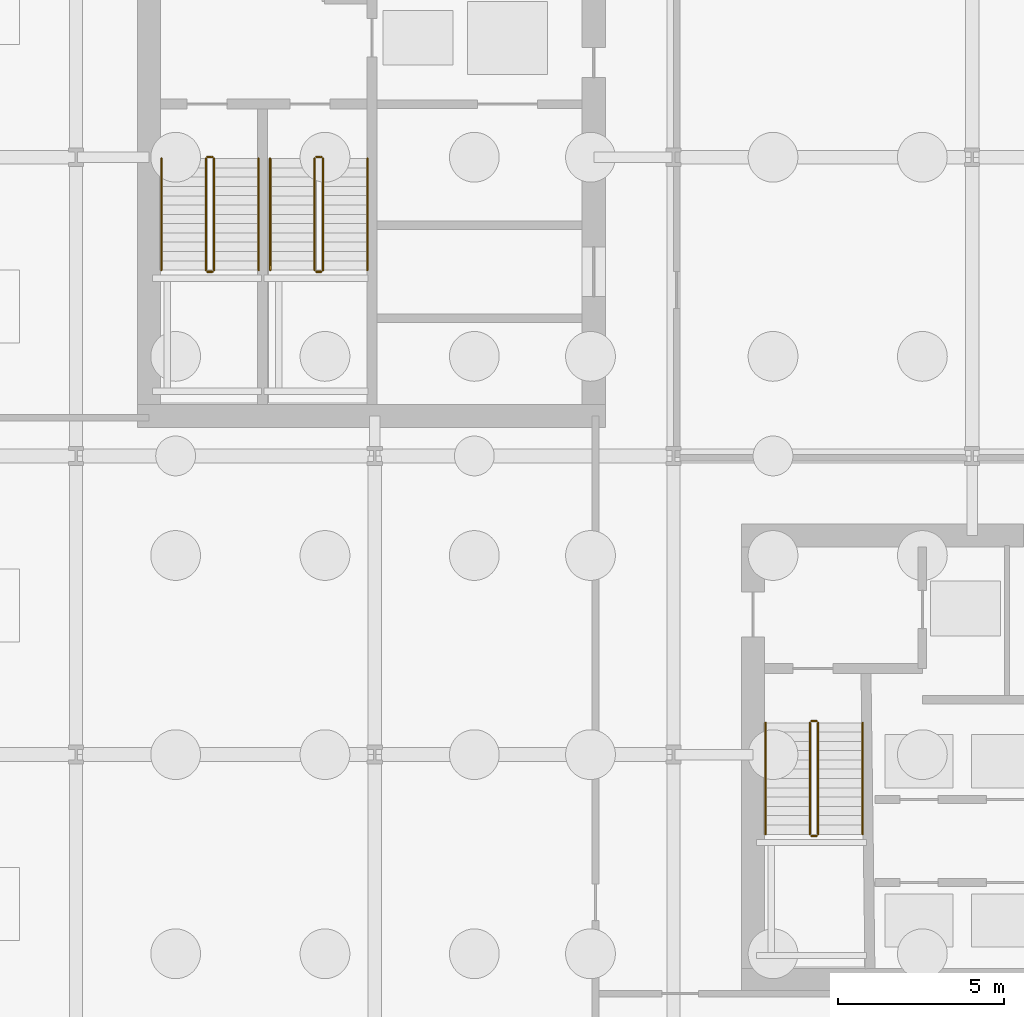
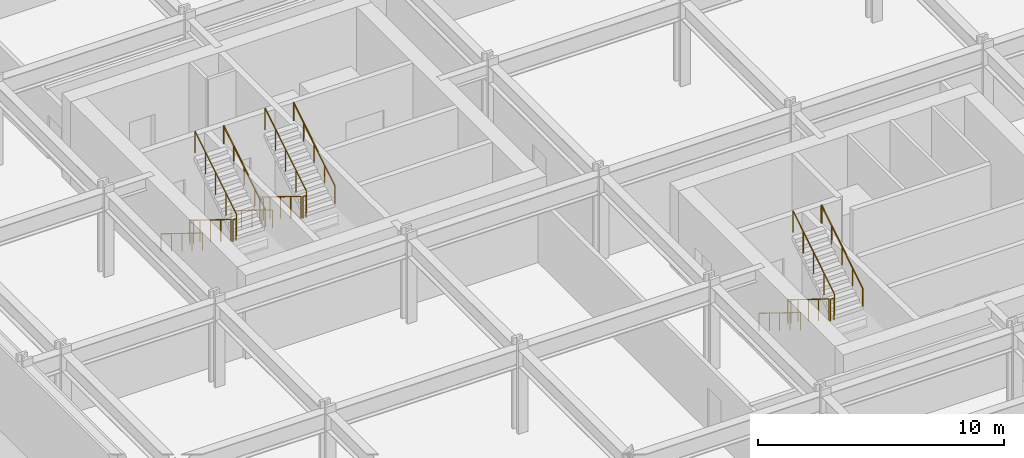
# One storey, part 6 of 7: 18 railings.
"""IFC4 building model written with IfcOpenShell, lengths in metres."""

from ifc_helpers import new_model, si_unit, direction, frame, origin, origin_2d, place, context, subcontext, project, spatial, circle, extrude, material, type_object, element, save


model = new_model("IFC4")

# Units and contexts
model_context = context("Model", 3, precision=1e-05, world=origin(), true_north=direction((0.0, 1.0)))
body_context = subcontext(model_context, "Body", "Model", "MODEL_VIEW")
ifc_project = project(units=[si_unit("LENGTHUNIT", "METRE"), si_unit("AREAUNIT", "SQUARE_METRE"), si_unit("VOLUMEUNIT", "CUBIC_METRE"), si_unit("PLANEANGLEUNIT", "RADIAN"), si_unit("MASSUNIT", "GRAM", prefix="KILO")], contexts=[model_context])

# Site, building, storey
site_placement = place(None, origin())
site = spatial("IfcSite", under=ifc_project, at=site_placement, CompositionType="ELEMENT")
building_placement = place(site_placement, origin())
building = spatial("IfcBuilding", under=site, at=building_placement, Name="Solvaryn Broadcast Tower", CompositionType="ELEMENT")
storey_placement = place(building_placement, frame((0.0, 0.0, -9.0)))
storey = spatial("IfcBuildingStorey", under=building, at=storey_placement, Name="B02", CompositionType="ELEMENT", Elevation=-9.0)

# Railings
ifc_material_1 = material(Name="Painted Steel Stair Well Guard", Category="steel")
railing_type_1 = type_object("IfcRailingType", Name="RL-STAIR-GUARD", PredefinedType="BALUSTRADE", material=ifc_material_1)
railing_1_placement = place(storey_placement, frame((12.909912109375, 35.9599609375, 0.173095703125)))
element("IfcRailing", 1, at=railing_1_placement, inside=storey, type_object=railing_type_1, Name="B02 ST1 stair guard 1", PredefinedType="BALUSTRADE", context=body_context, shape_type="SweptSolid", body=[
    extrude(circle(Radius=0.02392578125, at=origin_2d()), frame((0.0, 0.0, 1.076171875), z_axis=(0.0, -0.850606129759, 0.525803396734), x_axis=(1.0, 0.0, 0.0)), (0.0, 0.0, 1.0), 3.949951171875),
    extrude(circle(Radius=0.02099609375, at=origin_2d()), origin(), (0.0, 0.0, 1.0), 1.052001953125),
    extrude(circle(Radius=0.02099609375, at=origin_2d()), frame((0.0, -0.83984375, 0.519287109375)), (0.0, 0.0, 1.0), 1.052001953125),
    extrude(circle(Radius=0.02099609375, at=origin_2d()), frame((0.0, -1.679931640625, 1.03857421875)), (0.0, 0.0, 1.0), 1.052001953125),
    extrude(circle(Radius=0.02099609375, at=origin_2d()), frame((0.0, -2.52001953125, 1.5576171875)), (0.0, 0.0, 1.0), 1.052001953125),
    extrude(circle(Radius=0.02099609375, at=origin_2d()), frame((0.0, -3.35986328125, 2.076904296875)), (0.0, 0.0, 1.0), 1.052001953125),
])
railing_2_placement = place(storey_placement, frame((12.9599609375, 32.550048828125, 2.25)))
element("IfcRailing", 2, at=railing_2_placement, inside=storey, type_object=railing_type_1, Name="B02 ST1 stair guard 2", PredefinedType="BALUSTRADE", context=body_context, shape_type="SweptSolid", body=[
    extrude(circle(Radius=0.02392578125, at=origin_2d()), frame((0.0, 0.0, 1.076171875), z_axis=(1.0, 0.0, 0.0), x_axis=(0.0, 1.0, 0.0)), (0.0, 0.0, 1.0), 0.150146484375),
    extrude(circle(Radius=0.02099609375, at=origin_2d()), origin(), (0.0, 0.0, 1.0), 1.052001953125),
    extrude(circle(Radius=0.02099609375, at=origin_2d()), frame((0.150146484375, 0.0, 0.0)), (0.0, 0.0, 1.0), 1.052001953125),
])
railing_3_placement = place(storey_placement, frame((13.159912109375, 32.60009765625, 2.423095703125)))
element("IfcRailing", 3, at=railing_3_placement, inside=storey, type_object=railing_type_1, Name="B02 ST1 stair guard 3", PredefinedType="BALUSTRADE", context=body_context, shape_type="SweptSolid", body=[
    extrude(circle(Radius=0.02392578125, at=origin_2d()), frame((0.0, 0.0, 1.076171875), z_axis=(0.0, 0.850606129759, 0.525803396734), x_axis=(-1.0, 0.0, 0.0)), (0.0, 0.0, 1.0), 3.949951171875),
    extrude(circle(Radius=0.02099609375, at=origin_2d()), origin(), (0.0, 0.0, 1.0), 1.052001953125),
    extrude(circle(Radius=0.02099609375, at=origin_2d()), frame((0.0, 0.83984375, 0.519287109375)), (0.0, 0.0, 1.0), 1.052001953125),
    extrude(circle(Radius=0.02099609375, at=origin_2d()), frame((0.0, 1.679931640625, 1.03857421875)), (0.0, 0.0, 1.0), 1.052001953125),
    extrude(circle(Radius=0.02099609375, at=origin_2d()), frame((0.0, 2.52001953125, 1.5576171875)), (0.0, 0.0, 1.0), 1.052001953125),
    extrude(circle(Radius=0.02099609375, at=origin_2d()), frame((0.0, 3.35986328125, 2.076904296875)), (0.0, 0.0, 1.0), 1.052001953125),
])
railing_4_placement = place(storey_placement, frame((12.9599609375, 36.010009765625, 0.0)))
element("IfcRailing", 4, at=railing_4_placement, inside=storey, type_object=railing_type_1, Name="B02 ST1 stair guard 4", PredefinedType="BALUSTRADE", context=body_context, shape_type="SweptSolid", body=[
    extrude(circle(Radius=0.02392578125, at=origin_2d()), frame((0.0, 0.0, 1.076171875), z_axis=(1.0, 0.0, 0.0), x_axis=(0.0, 1.0, 0.0)), (0.0, 0.0, 1.0), 0.150146484375),
    extrude(circle(Radius=0.02099609375, at=origin_2d()), origin(), (0.0, 0.0, 1.0), 1.052001953125),
    extrude(circle(Radius=0.02099609375, at=origin_2d()), frame((0.150146484375, 0.0, 0.0)), (0.0, 0.0, 1.0), 1.052001953125),
])
railing_5_placement = place(storey_placement, frame((16.18994140625, 35.9599609375, 0.173095703125)))
element("IfcRailing", 5, at=railing_5_placement, inside=storey, type_object=railing_type_1, Name="B02 ST2 stair guard 1", PredefinedType="BALUSTRADE", context=body_context, shape_type="SweptSolid", body=[
    extrude(circle(Radius=0.02392578125, at=origin_2d()), frame((0.0, 0.0, 1.076171875), z_axis=(0.0, -0.850606129759, 0.525803396734), x_axis=(1.0, 0.0, 0.0)), (0.0, 0.0, 1.0), 3.949951171875),
    extrude(circle(Radius=0.02099609375, at=origin_2d()), origin(), (0.0, 0.0, 1.0), 1.052001953125),
    extrude(circle(Radius=0.02099609375, at=origin_2d()), frame((0.0, -0.83984375, 0.519287109375)), (0.0, 0.0, 1.0), 1.052001953125),
    extrude(circle(Radius=0.02099609375, at=origin_2d()), frame((0.0, -1.679931640625, 1.03857421875)), (0.0, 0.0, 1.0), 1.052001953125),
    extrude(circle(Radius=0.02099609375, at=origin_2d()), frame((0.0, -2.52001953125, 1.5576171875)), (0.0, 0.0, 1.0), 1.052001953125),
    extrude(circle(Radius=0.02099609375, at=origin_2d()), frame((0.0, -3.35986328125, 2.076904296875)), (0.0, 0.0, 1.0), 1.052001953125),
])
railing_6_placement = place(storey_placement, frame((16.239990234375, 32.550048828125, 2.25)))
element("IfcRailing", 6, at=railing_6_placement, inside=storey, type_object=railing_type_1, Name="B02 ST2 stair guard 2", PredefinedType="BALUSTRADE", context=body_context, shape_type="SweptSolid", body=[
    extrude(circle(Radius=0.02392578125, at=origin_2d()), frame((0.0, 0.0, 1.076171875), z_axis=(1.0, 0.0, 0.0), x_axis=(0.0, 1.0, 0.0)), (0.0, 0.0, 1.0), 0.14990234375),
    extrude(circle(Radius=0.02099609375, at=origin_2d()), origin(), (0.0, 0.0, 1.0), 1.052001953125),
    extrude(circle(Radius=0.02099609375, at=origin_2d()), frame((0.14990234375, 0.0, 0.0)), (0.0, 0.0, 1.0), 1.052001953125),
])
railing_7_placement = place(storey_placement, frame((16.43994140625, 32.60009765625, 2.423095703125)))
element("IfcRailing", 7, at=railing_7_placement, inside=storey, type_object=railing_type_1, Name="B02 ST2 stair guard 3", PredefinedType="BALUSTRADE", context=body_context, shape_type="SweptSolid", body=[
    extrude(circle(Radius=0.02392578125, at=origin_2d()), frame((0.0, 0.0, 1.076171875), z_axis=(0.0, 0.850606129759, 0.525803396734), x_axis=(-1.0, 0.0, 0.0)), (0.0, 0.0, 1.0), 3.949951171875),
    extrude(circle(Radius=0.02099609375, at=origin_2d()), origin(), (0.0, 0.0, 1.0), 1.052001953125),
    extrude(circle(Radius=0.02099609375, at=origin_2d()), frame((0.0, 0.83984375, 0.519287109375)), (0.0, 0.0, 1.0), 1.052001953125),
    extrude(circle(Radius=0.02099609375, at=origin_2d()), frame((0.0, 1.679931640625, 1.03857421875)), (0.0, 0.0, 1.0), 1.052001953125),
    extrude(circle(Radius=0.02099609375, at=origin_2d()), frame((0.0, 2.52001953125, 1.5576171875)), (0.0, 0.0, 1.0), 1.052001953125),
    extrude(circle(Radius=0.02099609375, at=origin_2d()), frame((0.0, 3.35986328125, 2.076904296875)), (0.0, 0.0, 1.0), 1.052001953125),
])
railing_8_placement = place(storey_placement, frame((16.239990234375, 36.010009765625, 0.0)))
element("IfcRailing", 8, at=railing_8_placement, inside=storey, type_object=railing_type_1, Name="B02 ST2 stair guard 4", PredefinedType="BALUSTRADE", context=body_context, shape_type="SweptSolid", body=[
    extrude(circle(Radius=0.02392578125, at=origin_2d()), frame((0.0, 0.0, 1.076171875), z_axis=(1.0, 0.0, 0.0), x_axis=(0.0, 1.0, 0.0)), (0.0, 0.0, 1.0), 0.14990234375),
    extrude(circle(Radius=0.02099609375, at=origin_2d()), origin(), (0.0, 0.0, 1.0), 1.052001953125),
    extrude(circle(Radius=0.02099609375, at=origin_2d()), frame((0.14990234375, 0.0, 0.0)), (0.0, 0.0, 1.0), 1.052001953125),
])
railing_9_placement = place(storey_placement, frame((31.110107421875, 18.9599609375, 0.173095703125)))
element("IfcRailing", 9, at=railing_9_placement, inside=storey, type_object=railing_type_1, Name="B02 ST3 stair guard 1", PredefinedType="BALUSTRADE", context=body_context, shape_type="SweptSolid", body=[
    extrude(circle(Radius=0.02392578125, at=origin_2d()), frame((0.0, 0.0, 1.076171875), z_axis=(0.0, -0.850606129759, 0.525803396734), x_axis=(1.0, 0.0, 0.0)), (0.0, 0.0, 1.0), 3.949951171875),
    extrude(circle(Radius=0.02099609375, at=origin_2d()), origin(), (0.0, 0.0, 1.0), 1.052001953125),
    extrude(circle(Radius=0.02099609375, at=origin_2d()), frame((0.0, -0.83984375, 0.519287109375)), (0.0, 0.0, 1.0), 1.052001953125),
    extrude(circle(Radius=0.02099609375, at=origin_2d()), frame((0.0, -1.679931640625, 1.03857421875)), (0.0, 0.0, 1.0), 1.052001953125),
    extrude(circle(Radius=0.02099609375, at=origin_2d()), frame((0.0, -2.52001953125, 1.5576171875)), (0.0, 0.0, 1.0), 1.052001953125),
    extrude(circle(Radius=0.02099609375, at=origin_2d()), frame((0.0, -3.35986328125, 2.076904296875)), (0.0, 0.0, 1.0), 1.052001953125),
])
railing_10_placement = place(storey_placement, frame((31.159912109375, 15.550048828125, 2.25)))
element("IfcRailing", 10, at=railing_10_placement, inside=storey, type_object=railing_type_1, Name="B02 ST3 stair guard 2", PredefinedType="BALUSTRADE", context=body_context, shape_type="SweptSolid", body=[
    extrude(circle(Radius=0.02392578125, at=origin_2d()), frame((0.0, 0.0, 1.076171875), z_axis=(1.0, 0.0, 0.0), x_axis=(0.0, 1.0, 0.0)), (0.0, 0.0, 1.0), 0.150146484375),
    extrude(circle(Radius=0.02099609375, at=origin_2d()), origin(), (0.0, 0.0, 1.0), 1.052001953125),
    extrude(circle(Radius=0.02099609375, at=origin_2d()), frame((0.150146484375, 0.0, 0.0)), (0.0, 0.0, 1.0), 1.052001953125),
])
railing_11_placement = place(storey_placement, frame((31.360107421875, 15.60009765625, 2.423095703125)))
element("IfcRailing", 11, at=railing_11_placement, inside=storey, type_object=railing_type_1, Name="B02 ST3 stair guard 3", PredefinedType="BALUSTRADE", context=body_context, shape_type="SweptSolid", body=[
    extrude(circle(Radius=0.02392578125, at=origin_2d()), frame((0.0, 0.0, 1.076171875), z_axis=(0.0, 0.850606129759, 0.525803396734), x_axis=(-1.0, 0.0, 0.0)), (0.0, 0.0, 1.0), 3.949951171875),
    extrude(circle(Radius=0.02099609375, at=origin_2d()), origin(), (0.0, 0.0, 1.0), 1.052001953125),
    extrude(circle(Radius=0.02099609375, at=origin_2d()), frame((0.0, 0.83984375, 0.519287109375)), (0.0, 0.0, 1.0), 1.052001953125),
    extrude(circle(Radius=0.02099609375, at=origin_2d()), frame((0.0, 1.679931640625, 1.03857421875)), (0.0, 0.0, 1.0), 1.052001953125),
    extrude(circle(Radius=0.02099609375, at=origin_2d()), frame((0.0, 2.52001953125, 1.5576171875)), (0.0, 0.0, 1.0), 1.052001953125),
    extrude(circle(Radius=0.02099609375, at=origin_2d()), frame((0.0, 3.35986328125, 2.076904296875)), (0.0, 0.0, 1.0), 1.052001953125),
])
railing_12_placement = place(storey_placement, frame((31.159912109375, 19.010009765625, 0.0)))
element("IfcRailing", 12, at=railing_12_placement, inside=storey, type_object=railing_type_1, Name="B02 ST3 stair guard 4", PredefinedType="BALUSTRADE", context=body_context, shape_type="SweptSolid", body=[
    extrude(circle(Radius=0.02392578125, at=origin_2d()), frame((0.0, 0.0, 1.076171875), z_axis=(1.0, 0.0, 0.0), x_axis=(0.0, 1.0, 0.0)), (0.0, 0.0, 1.0), 0.150146484375),
    extrude(circle(Radius=0.02099609375, at=origin_2d()), origin(), (0.0, 0.0, 1.0), 1.052001953125),
    extrude(circle(Radius=0.02099609375, at=origin_2d()), frame((0.150146484375, 0.0, 0.0)), (0.0, 0.0, 1.0), 1.052001953125),
])
ifc_material_2 = material(Name="Brushed Stainless Steel Tubular Handrail", Category="steel")
railing_type_2 = type_object("IfcRailingType", Name="RL-STAIR-HANDRAIL", PredefinedType="HANDRAIL", material=ifc_material_2)
railing_13_placement = place(storey_placement, frame((11.570068359375, 35.9599609375, 0.173095703125)))
element("IfcRailing", 13, at=railing_13_placement, inside=storey, type_object=railing_type_2, Name="B02 ST1 stair handrail 1", PredefinedType="HANDRAIL", context=body_context, shape_type="SweptSolid", body=[
    extrude(circle(Radius=0.02392578125, at=origin_2d()), frame((0.0, 0.0, 0.8759765625), z_axis=(0.0, -0.850606129759, 0.525803396734), x_axis=(1.0, 0.0, 0.0)), (0.0, 0.0, 1.0), 3.949951171875),
    extrude(circle(Radius=0.02099609375, at=origin_2d()), origin(), (0.0, 0.0, 1.0), 0.851806640625),
    extrude(circle(Radius=0.02099609375, at=origin_2d()), frame((0.0, -0.83984375, 0.519287109375)), (0.0, 0.0, 1.0), 0.851806640625),
    extrude(circle(Radius=0.02099609375, at=origin_2d()), frame((0.0, -1.679931640625, 1.03857421875)), (0.0, 0.0, 1.0), 0.851806640625),
    extrude(circle(Radius=0.02099609375, at=origin_2d()), frame((0.0, -2.52001953125, 1.5576171875)), (0.0, 0.0, 1.0), 0.851806640625),
    extrude(circle(Radius=0.02099609375, at=origin_2d()), frame((0.0, -3.35986328125, 2.076904296875)), (0.0, 0.0, 1.0), 0.851806640625),
])
railing_14_placement = place(storey_placement, frame((14.5, 32.60009765625, 2.423095703125)))
element("IfcRailing", 14, at=railing_14_placement, inside=storey, type_object=railing_type_2, Name="B02 ST1 stair handrail 2", PredefinedType="HANDRAIL", context=body_context, shape_type="SweptSolid", body=[
    extrude(circle(Radius=0.02392578125, at=origin_2d()), frame((0.0, 0.0, 0.8759765625), z_axis=(0.0, 0.850606129759, 0.525803396734), x_axis=(-1.0, 0.0, 0.0)), (0.0, 0.0, 1.0), 3.949951171875),
    extrude(circle(Radius=0.02099609375, at=origin_2d()), origin(), (0.0, 0.0, 1.0), 0.851806640625),
    extrude(circle(Radius=0.02099609375, at=origin_2d()), frame((0.0, 0.83984375, 0.519287109375)), (0.0, 0.0, 1.0), 0.851806640625),
    extrude(circle(Radius=0.02099609375, at=origin_2d()), frame((0.0, 1.679931640625, 1.03857421875)), (0.0, 0.0, 1.0), 0.851806640625),
    extrude(circle(Radius=0.02099609375, at=origin_2d()), frame((0.0, 2.52001953125, 1.5576171875)), (0.0, 0.0, 1.0), 0.851806640625),
    extrude(circle(Radius=0.02099609375, at=origin_2d()), frame((0.0, 3.35986328125, 2.076904296875)), (0.0, 0.0, 1.0), 0.851806640625),
])
railing_15_placement = place(storey_placement, frame((14.85009765625, 35.9599609375, 0.173095703125)))
element("IfcRailing", 15, at=railing_15_placement, inside=storey, type_object=railing_type_2, Name="B02 ST2 stair handrail 1", PredefinedType="HANDRAIL", context=body_context, shape_type="SweptSolid", body=[
    extrude(circle(Radius=0.02392578125, at=origin_2d()), frame((0.0, 0.0, 0.8759765625), z_axis=(0.0, -0.850606129759, 0.525803396734), x_axis=(1.0, 0.0, 0.0)), (0.0, 0.0, 1.0), 3.949951171875),
    extrude(circle(Radius=0.02099609375, at=origin_2d()), origin(), (0.0, 0.0, 1.0), 0.851806640625),
    extrude(circle(Radius=0.02099609375, at=origin_2d()), frame((0.0, -0.83984375, 0.519287109375)), (0.0, 0.0, 1.0), 0.851806640625),
    extrude(circle(Radius=0.02099609375, at=origin_2d()), frame((0.0, -1.679931640625, 1.03857421875)), (0.0, 0.0, 1.0), 0.851806640625),
    extrude(circle(Radius=0.02099609375, at=origin_2d()), frame((0.0, -2.52001953125, 1.5576171875)), (0.0, 0.0, 1.0), 0.851806640625),
    extrude(circle(Radius=0.02099609375, at=origin_2d()), frame((0.0, -3.35986328125, 2.076904296875)), (0.0, 0.0, 1.0), 0.851806640625),
])
railing_16_placement = place(storey_placement, frame((17.780029296875, 32.60009765625, 2.423095703125)))
element("IfcRailing", 16, at=railing_16_placement, inside=storey, type_object=railing_type_2, Name="B02 ST2 stair handrail 2", PredefinedType="HANDRAIL", context=body_context, shape_type="SweptSolid", body=[
    extrude(circle(Radius=0.02392578125, at=origin_2d()), frame((0.0, 0.0, 0.8759765625), z_axis=(0.0, 0.850606129759, 0.525803396734), x_axis=(-1.0, 0.0, 0.0)), (0.0, 0.0, 1.0), 3.949951171875),
    extrude(circle(Radius=0.02099609375, at=origin_2d()), origin(), (0.0, 0.0, 1.0), 0.851806640625),
    extrude(circle(Radius=0.02099609375, at=origin_2d()), frame((0.0, 0.83984375, 0.519287109375)), (0.0, 0.0, 1.0), 0.851806640625),
    extrude(circle(Radius=0.02099609375, at=origin_2d()), frame((0.0, 1.679931640625, 1.03857421875)), (0.0, 0.0, 1.0), 0.851806640625),
    extrude(circle(Radius=0.02099609375, at=origin_2d()), frame((0.0, 2.52001953125, 1.5576171875)), (0.0, 0.0, 1.0), 0.851806640625),
    extrude(circle(Radius=0.02099609375, at=origin_2d()), frame((0.0, 3.35986328125, 2.076904296875)), (0.0, 0.0, 1.0), 0.851806640625),
])
railing_17_placement = place(storey_placement, frame((29.77001953125, 18.9599609375, 0.173095703125)))
element("IfcRailing", 17, at=railing_17_placement, inside=storey, type_object=railing_type_2, Name="B02 ST3 stair handrail 1", PredefinedType="HANDRAIL", context=body_context, shape_type="SweptSolid", body=[
    extrude(circle(Radius=0.02392578125, at=origin_2d()), frame((0.0, 0.0, 0.8759765625), z_axis=(0.0, -0.850606129759, 0.525803396734), x_axis=(1.0, 0.0, 0.0)), (0.0, 0.0, 1.0), 3.949951171875),
    extrude(circle(Radius=0.02099609375, at=origin_2d()), origin(), (0.0, 0.0, 1.0), 0.851806640625),
    extrude(circle(Radius=0.02099609375, at=origin_2d()), frame((0.0, -0.83984375, 0.519287109375)), (0.0, 0.0, 1.0), 0.851806640625),
    extrude(circle(Radius=0.02099609375, at=origin_2d()), frame((0.0, -1.679931640625, 1.03857421875)), (0.0, 0.0, 1.0), 0.851806640625),
    extrude(circle(Radius=0.02099609375, at=origin_2d()), frame((0.0, -2.52001953125, 1.5576171875)), (0.0, 0.0, 1.0), 0.851806640625),
    extrude(circle(Radius=0.02099609375, at=origin_2d()), frame((0.0, -3.35986328125, 2.076904296875)), (0.0, 0.0, 1.0), 0.851806640625),
])
railing_18_placement = place(storey_placement, frame((32.699951171875, 15.60009765625, 2.423095703125)))
element("IfcRailing", 18, at=railing_18_placement, inside=storey, type_object=railing_type_2, Name="B02 ST3 stair handrail 2", PredefinedType="HANDRAIL", context=body_context, shape_type="SweptSolid", body=[
    extrude(circle(Radius=0.02392578125, at=origin_2d()), frame((0.0, 0.0, 0.8759765625), z_axis=(0.0, 0.850606129759, 0.525803396734), x_axis=(-1.0, 0.0, 0.0)), (0.0, 0.0, 1.0), 3.949951171875),
    extrude(circle(Radius=0.02099609375, at=origin_2d()), origin(), (0.0, 0.0, 1.0), 0.851806640625),
    extrude(circle(Radius=0.02099609375, at=origin_2d()), frame((0.0, 0.83984375, 0.519287109375)), (0.0, 0.0, 1.0), 0.851806640625),
    extrude(circle(Radius=0.02099609375, at=origin_2d()), frame((0.0, 1.679931640625, 1.03857421875)), (0.0, 0.0, 1.0), 0.851806640625),
    extrude(circle(Radius=0.02099609375, at=origin_2d()), frame((0.0, 2.52001953125, 1.5576171875)), (0.0, 0.0, 1.0), 0.851806640625),
    extrude(circle(Radius=0.02099609375, at=origin_2d()), frame((0.0, 3.35986328125, 2.076904296875)), (0.0, 0.0, 1.0), 0.851806640625),
])

save(model, "model.ifc")
